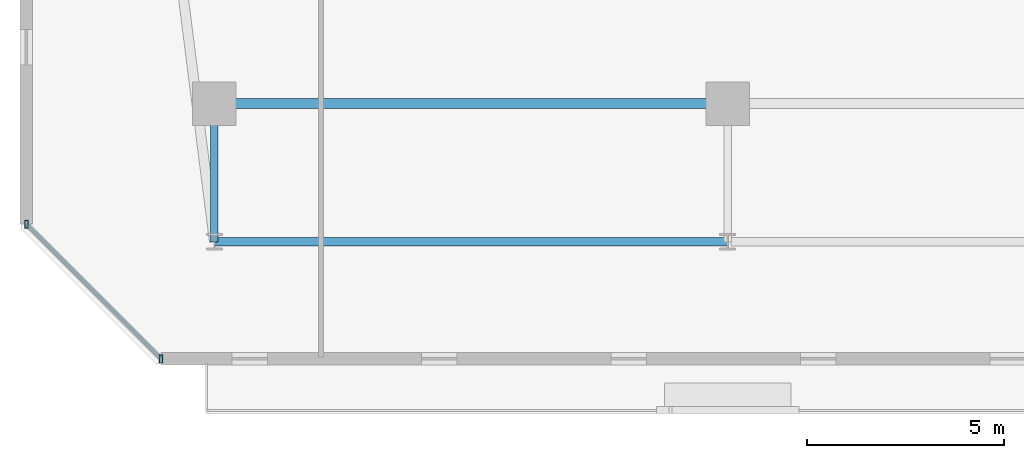
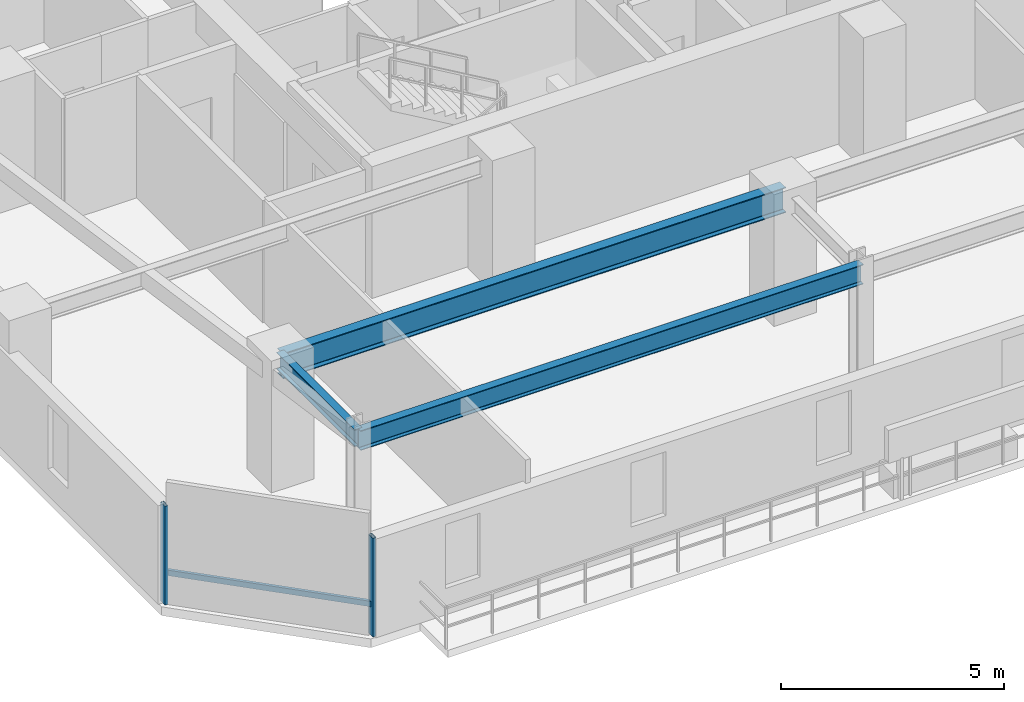
# One storey, part 3 of 33: 3 beams, 3 members, 1 element without a shape of its own.
"""IFC4 building model written with IfcOpenShell, lengths in metres."""

from ifc_helpers import new_model, si_unit, direction, frame, origin, origin_2d, place, context, subcontext, project, spatial, hollow_rectangle, i_section, extrude, material, material_profile, profile_set, type_object, element, aggregate, save


model = new_model("IFC4")

# Units and contexts
model_context = context("Model", 3, precision=1e-05, world=origin(), true_north=direction((0.0, 1.0)))
body_context = subcontext(model_context, "Body", "Model", "MODEL_VIEW")
ifc_project = project(units=[si_unit("LENGTHUNIT", "METRE"), si_unit("AREAUNIT", "SQUARE_METRE"), si_unit("VOLUMEUNIT", "CUBIC_METRE"), si_unit("PLANEANGLEUNIT", "RADIAN"), si_unit("MASSUNIT", "GRAM", prefix="KILO")], contexts=[model_context])

# Site, building, storey
site_placement = place(None, origin())
site = spatial("IfcSite", under=ifc_project, at=site_placement, CompositionType="ELEMENT")
building_placement = place(site_placement, origin())
building = spatial("IfcBuilding", under=site, at=building_placement, Name="Thornwick Lancets Civic Towers", CompositionType="ELEMENT")
storey_placement = place(building_placement, frame((0.0, 0.0, 159.89990234375)))
storey = spatial("IfcBuildingStorey", under=building, at=storey_placement, Name="L42", CompositionType="ELEMENT", Elevation=159.89990234375)

# Beams
ifc_material_1 = material(Name="Steel S355JR", Category="steel")
ifc_material_profile_1 = material_profile(ifc_material_1, i_section(OverallWidth=0.210693359375, OverallDepth=0.53955078125, WebThickness=0.01171875, FlangeThickness=0.018798828125, FilletRadius=0.0126953125, at=origin_2d()), Name="UKB 533x210x109")
ifc_profile_set_1 = profile_set([ifc_material_profile_1], Name="Steel S355JR")
beam_type_1 = type_object("IfcBeamType", Name="BM_EDGE_533_109", PredefinedType="SPANDREL", material=ifc_profile_set_1)
beam_1_placement = place(storey_placement, frame((12.5, 6.199951171875, 3.09033203125), z_axis=(1.0, 0.0, 0.0), x_axis=(0.0, 1.0, 0.0)))
element("IfcBeam", 1, at=beam_1_placement, inside=storey, type_object=beam_type_1, Name="BM-EDGE-L42-A-S0-1", PredefinedType="SPANDREL", context=body_context, shape_type="SweptSolid", body=[
    extrude(i_section(OverallWidth=0.210693359375, OverallDepth=0.53955078125, WebThickness=0.01171875, FlangeThickness=0.018798828125, FilletRadius=0.0126953125, at=origin_2d()), origin(), (0.0, 0.0, 1.0), 13.0),
])
ifc_material_profile_2 = material_profile(ifc_material_1, i_section(OverallWidth=0.255859375, OverallDepth=0.69287109375, WebThickness=0.014404296875, FlangeThickness=0.023681640625, FilletRadius=0.01513671875, at=origin_2d()), Name="UKB 686x254x170")
ifc_profile_set_2 = profile_set([ifc_material_profile_2], Name="Steel S355JR")
beam_type_2 = type_object("IfcBeamType", Name="BM_GIRD_686_170", PredefinedType="BEAM", material=ifc_profile_set_2)
beam_2_placement = place(storey_placement, frame((12.5, 9.699951171875, 3.013671875), z_axis=(1.0, 0.0, 0.0), x_axis=(0.0, 1.0, 0.0)))
element("IfcBeam", 2, at=beam_2_placement, inside=storey, type_object=beam_type_2, Name="BM-SPINE-L42-A-0-1", PredefinedType="BEAM", context=body_context, shape_type="SweptSolid", body=[
    extrude(i_section(OverallWidth=0.255859375, OverallDepth=0.69287109375, WebThickness=0.014404296875, FlangeThickness=0.023681640625, FilletRadius=0.01513671875, at=origin_2d()), origin(), (0.0, 0.0, 1.0), 13.0),
])
ifc_material_profile_3 = material_profile(ifc_material_1, i_section(OverallWidth=0.19287109375, OverallDepth=0.46728515625, WebThickness=0.011474609375, FlangeThickness=0.01953125, FilletRadius=0.01025390625, at=origin_2d()), Name="UKB 457x191x98")
ifc_profile_set_3 = profile_set([ifc_material_profile_3], Name="Steel S355JR")
beam_type_3 = type_object("IfcBeamType", Name="BM_JOIST_457_98", PredefinedType="JOIST", material=ifc_profile_set_3)
beam_3_placement = place(storey_placement, frame((12.5, 9.699951171875, 3.12646484375), z_axis=(0.0, -1.0, 0.0), x_axis=(1.0, 0.0, 0.0)))
element("IfcBeam", 3, at=beam_3_placement, inside=storey, type_object=beam_type_3, Name="BM-RAD-L42-A01", PredefinedType="JOIST", context=body_context, shape_type="SweptSolid", body=[
    extrude(i_section(OverallWidth=0.19287109375, OverallDepth=0.46728515625, WebThickness=0.011474609375, FlangeThickness=0.01953125, FilletRadius=0.01025390625, at=origin_2d()), origin(), (0.0, 0.0, 1.0), 3.5),
])

# Curtain wall, members
ifc_material_2 = material(Name="Mid-zone chamfered-corner unitised glass curtain wall", Category="glass")
curtain_wall_type = type_object("IfcCurtainWallType", Name="CW_SYS_04", PredefinedType="NOTDEFINED", material=ifc_material_2)
curtain_wall_placement = place(storey_placement, origin())
curtain_wall = element("IfcCurtainWall", 4, at=curtain_wall_placement, inside=storey, type_object=curtain_wall_type, Name="L42 Curtain Wall CW-L42-A-E7", PredefinedType="NOTDEFINED")
ifc_material_3 = material(Name="Thermally broken bronze aluminium S355", Category="steel")
ifc_material_profile_4 = material_profile(ifc_material_3, hollow_rectangle(XDim=0.080078125, YDim=0.199951171875, WallThickness=0.006103515625, at=origin_2d()), Name="RHS 200x80x6")
ifc_profile_set_4 = profile_set([ifc_material_profile_4], Name="Thermally broken bronze aluminium S355")
member_type_1 = type_object("IfcMemberType", Name="CW_MUL_200", PredefinedType="MULLION", material=ifc_profile_set_4)
member_1_placement = place(storey_placement, frame((7.738037109375, 6.646484375, 0.0), z_axis=(0.0, 0.0, 1.0), x_axis=(1.0, 0.0, 0.0)))
member_1 = element("IfcMember", 5, at=member_1_placement, type_object=member_type_1, Name="CW-L42-A-E7 Mullion 0", PredefinedType="MULLION", context=body_context, shape_type="SweptSolid", body=[
    extrude(hollow_rectangle(XDim=0.080078125, YDim=0.199951171875, WallThickness=0.006103515625, at=origin_2d()), origin(), (0.0, 0.0, 1.0), 2.7001953125),
])
member_2_placement = place(storey_placement, frame((11.146484375, 3.238037109375, 0.0), z_axis=(0.0, 0.0, 1.0), x_axis=(1.0, 0.0, 0.0)))
member_2 = element("IfcMember", 6, at=member_2_placement, type_object=member_type_1, Name="CW-L42-A-E7 Mullion 1", PredefinedType="MULLION", context=body_context, shape_type="SweptSolid", body=[
    extrude(hollow_rectangle(XDim=0.080078125, YDim=0.199951171875, WallThickness=0.006103515625, at=origin_2d()), origin(), (0.0, 0.0, 1.0), 2.7001953125),
])
ifc_material_profile_5 = material_profile(ifc_material_3, hollow_rectangle(XDim=0.074951171875, YDim=0.14990234375, WallThickness=0.0048828125, at=origin_2d()), Name="RHS 150x75x5")
ifc_profile_set_5 = profile_set([ifc_material_profile_5], Name="Thermally broken bronze aluminium S355")
member_type_2 = type_object("IfcMemberType", Name="CW_TRN_150", PredefinedType="USERDEFINED", material=ifc_profile_set_5)
member_3_placement = place(storey_placement, frame((7.752197265625, 6.63232421875, 0.85009765625), z_axis=(0.707106781187, -0.707106781187, 0.0), x_axis=(0.707106781187, 0.707106781187, 0.0)))
member_3 = element("IfcMember", 7, at=member_3_placement, type_object=member_type_2, Name="CW-L42-A-E7 Transom 0", ObjectType="TRANSOM", PredefinedType="USERDEFINED", context=body_context, shape_type="SweptSolid", body=[
    extrude(hollow_rectangle(XDim=0.074951171875, YDim=0.14990234375, WallThickness=0.0048828125, at=origin_2d()), origin(), (0.0, 0.0, 1.0), 4.7802734375),
])
aggregate(curtain_wall, [member_1, member_2, member_3])

save(model, "model.ifc")
